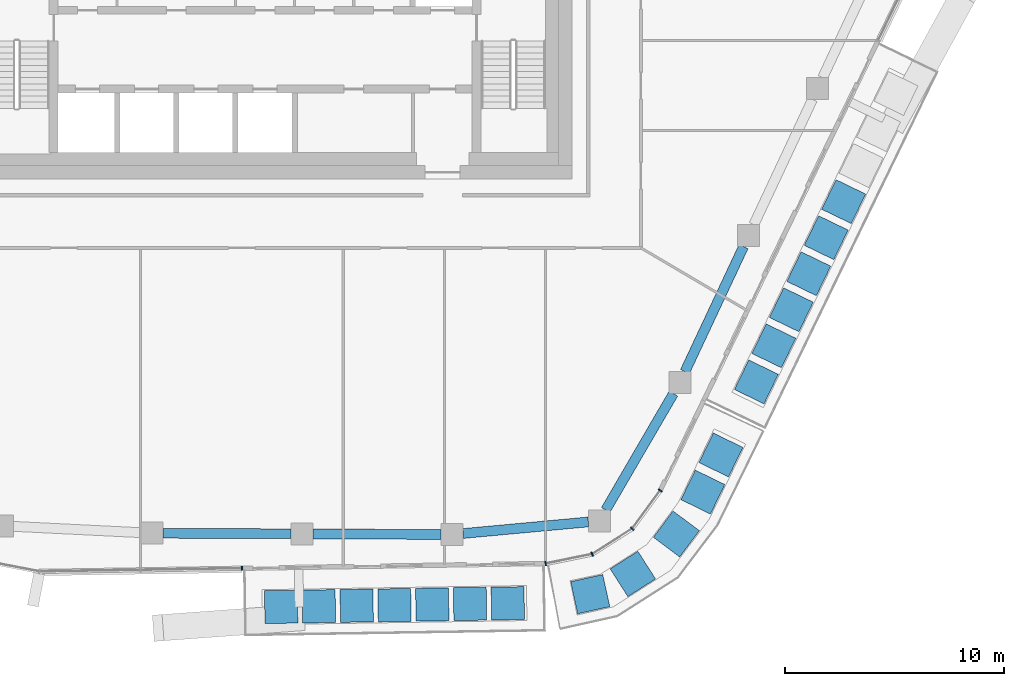
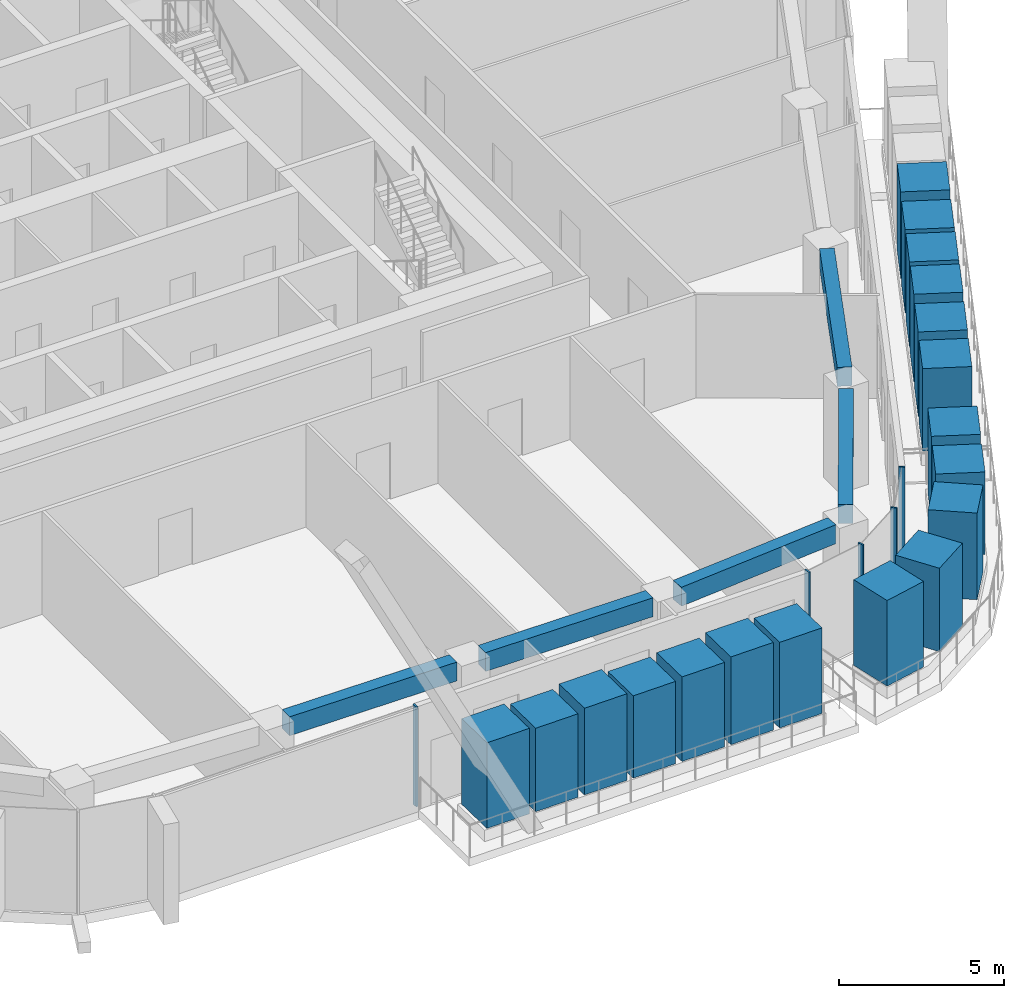
# One storey, part 4 of 24: 23 members, 5 beams, 2 elements without a shape of their own.
"""IFC4 building model written with IfcOpenShell, lengths in metres."""

from ifc_helpers import new_model, si_unit, direction, frame, origin, origin_2d, place, context, subcontext, project, spatial, rectangle, extrude, material, layer, layer_set, material_profile, profile_set, type_object, element, aggregate, save


model = new_model("IFC4")

# Units and contexts
model_context = context("Model", 3, precision=1e-05, world=origin(), true_north=direction((0.0, 1.0)))
body_context = subcontext(model_context, "Body", "Model", "MODEL_VIEW")
ifc_project = project(units=[si_unit("LENGTHUNIT", "METRE"), si_unit("AREAUNIT", "SQUARE_METRE"), si_unit("VOLUMEUNIT", "CUBIC_METRE"), si_unit("PLANEANGLEUNIT", "RADIAN"), si_unit("MASSUNIT", "GRAM", prefix="KILO")], contexts=[model_context])

# Site, building, storey
site_placement = place(None, origin())
site = spatial("IfcSite", under=ifc_project, at=site_placement, CompositionType="ELEMENT")
building_placement = place(site_placement, origin())
building = spatial("IfcBuilding", under=site, at=building_placement, Name="Dongbaek Canopy Tower", CompositionType="ELEMENT")
storey_placement = place(building_placement, frame((0.0, 0.0, 298.39990234375)))
storey = spatial("IfcBuildingStorey", under=building, at=storey_placement, Name="L63", CompositionType="ELEMENT", Elevation=298.39990234375)

# Curtain wall, member
ifc_material_1 = material(Name="Aluminium 6063-T6 pale anodised", Category="aluminium")
ifc_layer = layer(ifc_material_1, 0.199951171875)
ifc_layer_set = layer_set([ifc_layer], Name="CW-1 unitised tower curtain wall")
curtain_wall_type = type_object("IfcCurtainWallType", Name="CW-1 unitised tower curtain wall", PredefinedType="NOTDEFINED", material=ifc_layer_set)
curtain_wall_1_placement = place(storey_placement, origin())
curtain_wall_1 = element("IfcCurtainWall", 1, at=curtain_wall_1_placement, inside=storey, type_object=curtain_wall_type, Name="CW-1 curtain wall F4.1", PredefinedType="NOTDEFINED")
ifc_material_2 = material(Name="Aluminium 6063-T6 pale anodised", Category="aluminium")
ifc_material_profile_1 = material_profile(ifc_material_2, rectangle(XDim=0.199951171875, YDim=0.06005859375, at=origin_2d()), Name="CW-1 mullion 60 x 200")
ifc_profile_set_1 = profile_set([ifc_material_profile_1], Name="Aluminium 6063-T6 pale anodised")
member_type_1 = type_object("IfcMemberType", Name="CW-1 mullion 60 x 200", PredefinedType="MULLION", material=ifc_profile_set_1)
member_1_placement = place(storey_placement, frame((-1.054931640625, -28.767333984375, 0.1201171875), z_axis=(0.0, 0.0, 1.0), x_axis=(0.015683964455, -0.999876999065, 0.0)))
member_1 = element("IfcMember", 2, at=member_1_placement, type_object=member_type_1, Name="CW-1 mullion F4.1.3", PredefinedType="MULLION", context=body_context, shape_type="SweptSolid", body=[
    extrude(rectangle(XDim=0.199951171875, YDim=0.06005859375, at=origin_2d()), origin(), (0.0, 0.0, 1.0), 3.699951171875),
])
aggregate(curtain_wall_1, [member_1])

# Curtain wall, members
curtain_wall_2_placement = place(storey_placement, origin())
curtain_wall_2 = element("IfcCurtainWall", 3, at=curtain_wall_2_placement, inside=storey, type_object=curtain_wall_type, Name="CW-1 curtain wall K5.1", PredefinedType="NOTDEFINED")
member_2_placement = place(storey_placement, frame((12.801513671875, -28.550048828125, 0.0), z_axis=(0.0, 0.0, 1.0), x_axis=(0.19837890647, -0.98012540497, 0.0)))
member_2 = element("IfcMember", 4, at=member_2_placement, type_object=member_type_1, Name="CW-1 mullion K5.1.1", PredefinedType="MULLION", context=body_context, shape_type="SweptSolid", body=[
    extrude(rectangle(XDim=0.199951171875, YDim=0.06005859375, at=origin_2d()), origin(), (0.0, 0.0, 1.0), 3.820068359375),
])
member_3_placement = place(storey_placement, frame((14.92626953125, -28.119873046875, 0.0), z_axis=(0.0, 0.0, 1.0), x_axis=(0.374375075408, -0.927277360294, 0.0)))
member_3 = element("IfcMember", 5, at=member_3_placement, type_object=member_type_1, Name="CW-1 mullion K5.1.2", PredefinedType="MULLION", context=body_context, shape_type="SweptSolid", body=[
    extrude(rectangle(XDim=0.199951171875, YDim=0.06005859375, at=origin_2d()), origin(), (0.0, 0.0, 1.0), 3.820068359375),
])
member_4_placement = place(storey_placement, frame((16.746337890625, -26.959228515625, 0.0), z_axis=(0.0, 0.0, 1.0), x_axis=(0.68292612479, -0.730487445531, 0.0)))
member_4 = element("IfcMember", 6, at=member_4_placement, type_object=member_type_1, Name="CW-1 mullion K5.1.3", PredefinedType="MULLION", context=body_context, shape_type="SweptSolid", body=[
    extrude(rectangle(XDim=0.199951171875, YDim=0.06005859375, at=origin_2d()), origin(), (0.0, 0.0, 1.0), 3.820068359375),
])
member_5_placement = place(storey_placement, frame((18.0322265625, -25.2138671875, 0.0), z_axis=(0.0, 0.0, 1.0), x_axis=(0.805061986906, -0.593190692138, 0.0)))
member_5 = element("IfcMember", 7, at=member_5_placement, type_object=member_type_1, Name="CW-1 mullion K5.1.4", PredefinedType="MULLION", context=body_context, shape_type="SweptSolid", body=[
    extrude(rectangle(XDim=0.199951171875, YDim=0.06005859375, at=origin_2d()), origin(), (0.0, 0.0, 1.0), 3.820068359375),
])
aggregate(curtain_wall_2, [member_2, member_3, member_4, member_5])

# Beams
ifc_material_3 = material(Name="Concrete C60", Category="concrete")
ifc_material_profile_2 = material_profile(ifc_material_3, rectangle(XDim=0.449951171875, YDim=0.699951171875, at=origin_2d()), Name="RC EDGE BEAM 450x700 C60")
ifc_profile_set_2 = profile_set([ifc_material_profile_2], Name="Concrete C60")
beam_type = type_object("IfcBeamType", Name="RC EDGE BEAM 450x700 C60", PredefinedType="BEAM", material=ifc_profile_set_2)
beam_1_placement = place(storey_placement, frame((14.751953125, -26.653076171875, 3.47021484375), z_axis=(-0.995766439544, -0.091919518479, 0.0), x_axis=(0.091919518479, -0.995766439544, 0.0)))
element("IfcBeam", 8, at=beam_1_placement, inside=storey, type_object=beam_type, Name="EDGEBEAM:L63:00", PredefinedType="BEAM", context=body_context, shape_type="SweptSolid", body=[
    extrude(rectangle(XDim=0.449951171875, YDim=0.699951171875, at=origin_2d()), origin(), (0.0, 0.0, 1.0), 5.742431640625),
])
beam_2_placement = place(storey_placement, frame((8.033935546875, -27.224853515625, 3.47021484375), z_axis=(-0.999990401851, 0.004381347473, 0.0), x_axis=(-0.004381347473, -0.999990401851, 0.0)))
element("IfcBeam", 9, at=beam_2_placement, inside=storey, type_object=beam_type, Name="EDGEBEAM:L63:01", PredefinedType="BEAM", context=body_context, shape_type="SweptSolid", body=[
    extrude(rectangle(XDim=0.449951171875, YDim=0.699951171875, at=origin_2d()), origin(), (0.0, 0.0, 1.0), 5.850830078125),
])
beam_3_placement = place(storey_placement, frame((1.18310546875, -27.19482421875, 3.47021484375), z_axis=(-0.999990396242, 0.004382627582, 0.0), x_axis=(-0.004382627582, -0.999990396242, 0.0)))
element("IfcBeam", 10, at=beam_3_placement, inside=storey, type_object=beam_type, Name="EDGEBEAM:L63:02", PredefinedType="BEAM", context=body_context, shape_type="SweptSolid", body=[
    extrude(rectangle(XDim=0.449951171875, YDim=0.699951171875, at=origin_2d()), origin(), (0.0, 0.0, 1.0), 5.84912109375),
])
beam_4_placement = place(storey_placement, frame((21.833740234375, -14.087890625, 3.47021484375), z_axis=(-0.424294949226, -0.905524044993, 0.0), x_axis=(0.905524044993, -0.424294949226, 0.0)))
element("IfcBeam", 11, at=beam_4_placement, inside=storey, type_object=beam_type, Name="EDGEBEAM:L63:24", PredefinedType="BEAM", context=body_context, shape_type="SweptSolid", body=[
    extrude(rectangle(XDim=0.449951171875, YDim=0.699951171875, at=origin_2d()), origin(), (0.0, 0.0, 1.0), 6.303466796875),
])
beam_5_placement = place(storey_placement, frame((18.634033203125, -20.7958984375, 3.47021484375), z_axis=(-0.503016078482, -0.864277053258, 0.0), x_axis=(0.864277053258, -0.503016078482, 0.0)))
element("IfcBeam", 12, at=beam_5_placement, inside=storey, type_object=beam_type, Name="EDGEBEAM:L63:25", PredefinedType="BEAM", context=body_context, shape_type="SweptSolid", body=[
    extrude(rectangle(XDim=0.449951171875, YDim=0.699951171875, at=origin_2d()), origin(), (0.0, 0.0, 1.0), 6.14501953125),
])

# Members
ifc_material_4 = material(Name="Concrete C40/50 planter mass with planting", Category="concrete")
ifc_material_profile_3 = material_profile(ifc_material_4, rectangle(XDim=1.5, YDim=1.5, at=origin_2d()), Name="Terrace PLANTER shrub mass 1500 x 1500")
ifc_profile_set_3 = profile_set([ifc_material_profile_3], Name="Concrete C40/50 planter mass with planting")
member_type_2 = type_object("IfcMemberType", Name="Terrace PLANTER shrub mass 1500 x 1500", PredefinedType="USERDEFINED", material=ifc_profile_set_3)
member_6_placement = place(storey_placement, frame((0.73486328125, -30.529541015625, 0.420166015625), z_axis=(0.0, 0.0, 1.0), x_axis=(0.015683964455, -0.999876999065, 0.0)))
element("IfcMember", 13, at=member_6_placement, inside=storey, type_object=member_type_2, Name="Planter shrubs L63 4.1", ObjectType="PLANTER", PredefinedType="USERDEFINED", context=body_context, shape_type="SweptSolid", body=[
    extrude(rectangle(XDim=1.5, YDim=1.5, at=origin_2d()), origin(), (0.0, 0.0, 1.0), 3.169921875),
])
member_7_placement = place(storey_placement, frame((2.458740234375, -30.50244140625, 0.420166015625), z_axis=(0.0, 0.0, 1.0), x_axis=(0.015683964455, -0.999876999065, 0.0)))
element("IfcMember", 14, at=member_7_placement, inside=storey, type_object=member_type_2, Name="Planter shrubs L63 4.2", ObjectType="PLANTER", PredefinedType="USERDEFINED", context=body_context, shape_type="SweptSolid", body=[
    extrude(rectangle(XDim=1.5, YDim=1.5, at=origin_2d()), origin(), (0.0, 0.0, 1.0), 3.08984375),
])
member_8_placement = place(storey_placement, frame((4.182373046875, -30.475341796875, 0.420166015625), z_axis=(0.0, 0.0, 1.0), x_axis=(0.015683964455, -0.999876999065, 0.0)))
element("IfcMember", 15, at=member_8_placement, inside=storey, type_object=member_type_2, Name="Planter shrubs L63 4.3", ObjectType="PLANTER", PredefinedType="USERDEFINED", context=body_context, shape_type="SweptSolid", body=[
    extrude(rectangle(XDim=1.5, YDim=1.5, at=origin_2d()), origin(), (0.0, 0.0, 1.0), 3.2099609375),
])
member_9_placement = place(storey_placement, frame((5.906005859375, -30.4482421875, 0.420166015625), z_axis=(0.0, 0.0, 1.0), x_axis=(0.015683964455, -0.999876999065, 0.0)))
element("IfcMember", 16, at=member_9_placement, inside=storey, type_object=member_type_2, Name="Planter shrubs L63 4.4", ObjectType="PLANTER", PredefinedType="USERDEFINED", context=body_context, shape_type="SweptSolid", body=[
    extrude(rectangle(XDim=1.5, YDim=1.5, at=origin_2d()), origin(), (0.0, 0.0, 1.0), 3.050048828125),
])
member_10_placement = place(storey_placement, frame((7.629638671875, -30.42138671875, 0.420166015625), z_axis=(0.0, 0.0, 1.0), x_axis=(0.015683964455, -0.999876999065, 0.0)))
element("IfcMember", 17, at=member_10_placement, inside=storey, type_object=member_type_2, Name="Planter shrubs L63 4.5", ObjectType="PLANTER", PredefinedType="USERDEFINED", context=body_context, shape_type="SweptSolid", body=[
    extrude(rectangle(XDim=1.5, YDim=1.5, at=origin_2d()), origin(), (0.0, 0.0, 1.0), 3.1298828125),
])
member_11_placement = place(storey_placement, frame((9.353515625, -30.394287109375, 0.420166015625), z_axis=(0.0, 0.0, 1.0), x_axis=(0.015683964455, -0.999876999065, 0.0)))
element("IfcMember", 18, at=member_11_placement, inside=storey, type_object=member_type_2, Name="Planter shrubs L63 4.6", ObjectType="PLANTER", PredefinedType="USERDEFINED", context=body_context, shape_type="SweptSolid", body=[
    extrude(rectangle(XDim=1.5, YDim=1.5, at=origin_2d()), origin(), (0.0, 0.0, 1.0), 3.25),
])
member_12_placement = place(storey_placement, frame((11.0771484375, -30.3671875, 0.420166015625), z_axis=(0.0, 0.0, 1.0), x_axis=(0.015683964455, -0.999876999065, 0.0)))
element("IfcMember", 19, at=member_12_placement, inside=storey, type_object=member_type_2, Name="Planter shrubs L63 4.7", ObjectType="PLANTER", PredefinedType="USERDEFINED", context=body_context, shape_type="SweptSolid", body=[
    extrude(rectangle(XDim=1.5, YDim=1.5, at=origin_2d()), origin(), (0.0, 0.0, 1.0), 3.169921875),
])
member_13_placement = place(storey_placement, frame((22.41845703125, -20.263916015625, 0.420166015625), z_axis=(0.0, 0.0, 1.0), x_axis=(0.900012864193, -0.435863332121, 0.0)))
element("IfcMember", 20, at=member_13_placement, inside=storey, type_object=member_type_2, Name="Planter shrubs L63 5.1", ObjectType="PLANTER", PredefinedType="USERDEFINED", context=body_context, shape_type="SweptSolid", body=[
    extrude(rectangle(XDim=1.5, YDim=1.5, at=origin_2d()), origin(), (0.0, 0.0, 1.0), 3.050048828125),
])
member_14_placement = place(storey_placement, frame((23.215087890625, -18.618896484375, 0.420166015625), z_axis=(0.0, 0.0, 1.0), x_axis=(0.900012864193, -0.435863332121, 0.0)))
element("IfcMember", 21, at=member_14_placement, inside=storey, type_object=member_type_2, Name="Planter shrubs L63 5.2", ObjectType="PLANTER", PredefinedType="USERDEFINED", context=body_context, shape_type="SweptSolid", body=[
    extrude(rectangle(XDim=1.5, YDim=1.5, at=origin_2d()), origin(), (0.0, 0.0, 1.0), 3.1298828125),
])
member_15_placement = place(storey_placement, frame((24.01171875, -16.973876953125, 0.420166015625), z_axis=(0.0, 0.0, 1.0), x_axis=(0.900012864193, -0.435863332121, 0.0)))
element("IfcMember", 22, at=member_15_placement, inside=storey, type_object=member_type_2, Name="Planter shrubs L63 5.3", ObjectType="PLANTER", PredefinedType="USERDEFINED", context=body_context, shape_type="SweptSolid", body=[
    extrude(rectangle(XDim=1.5, YDim=1.5, at=origin_2d()), origin(), (0.0, 0.0, 1.0), 3.25),
])
member_16_placement = place(storey_placement, frame((24.80810546875, -15.3291015625, 0.420166015625), z_axis=(0.0, 0.0, 1.0), x_axis=(0.900012864193, -0.435863332121, 0.0)))
element("IfcMember", 23, at=member_16_placement, inside=storey, type_object=member_type_2, Name="Planter shrubs L63 5.4", ObjectType="PLANTER", PredefinedType="USERDEFINED", context=body_context, shape_type="SweptSolid", body=[
    extrude(rectangle(XDim=1.5, YDim=1.5, at=origin_2d()), origin(), (0.0, 0.0, 1.0), 3.169921875),
])
member_17_placement = place(storey_placement, frame((25.604736328125, -13.68408203125, 0.420166015625), z_axis=(0.0, 0.0, 1.0), x_axis=(0.900012864193, -0.435863332121, 0.0)))
element("IfcMember", 24, at=member_17_placement, inside=storey, type_object=member_type_2, Name="Planter shrubs L63 5.5", ObjectType="PLANTER", PredefinedType="USERDEFINED", context=body_context, shape_type="SweptSolid", body=[
    extrude(rectangle(XDim=1.5, YDim=1.5, at=origin_2d()), origin(), (0.0, 0.0, 1.0), 3.08984375),
])
member_18_placement = place(storey_placement, frame((26.4013671875, -12.039306640625, 0.420166015625), z_axis=(0.0, 0.0, 1.0), x_axis=(0.900012864193, -0.435863332121, 0.0)))
element("IfcMember", 25, at=member_18_placement, inside=storey, type_object=member_type_2, Name="Planter shrubs L63 5.6", ObjectType="PLANTER", PredefinedType="USERDEFINED", context=body_context, shape_type="SweptSolid", body=[
    extrude(rectangle(XDim=1.5, YDim=1.5, at=origin_2d()), origin(), (0.0, 0.0, 1.0), 3.2099609375),
])
member_19_placement = place(storey_placement, frame((14.837890625, -29.949462890625, 0.420166015625), z_axis=(0.0, 0.0, 1.0), x_axis=(0.216327066433, -0.976320951495, 0.0)))
element("IfcMember", 26, at=member_19_placement, inside=storey, type_object=member_type_2, Name="Planter shrubs L63 8.1", ObjectType="PLANTER", PredefinedType="USERDEFINED", context=body_context, shape_type="SweptSolid", body=[
    extrude(rectangle(XDim=1.5, YDim=1.5, at=origin_2d()), origin(), (0.0, 0.0, 1.0), 3.169921875),
])
member_20_placement = place(storey_placement, frame((16.783447265625, -29.024658203125, 0.420166015625), z_axis=(0.0, 0.0, 1.0), x_axis=(0.53772950879, -0.843117414941, 0.0)))
element("IfcMember", 27, at=member_20_placement, inside=storey, type_object=member_type_2, Name="Planter shrubs L63 8.2", ObjectType="PLANTER", PredefinedType="USERDEFINED", context=body_context, shape_type="SweptSolid", body=[
    extrude(rectangle(XDim=1.5, YDim=1.5, at=origin_2d()), origin(), (0.0, 0.0, 1.0), 3.08984375),
])
member_21_placement = place(storey_placement, frame((18.767578125, -27.203369140625, 0.420166015625), z_axis=(0.0, 0.0, 1.0), x_axis=(0.800267717706, -0.599642877051, 0.0)))
element("IfcMember", 28, at=member_21_placement, inside=storey, type_object=member_type_2, Name="Planter shrubs L63 8.3", ObjectType="PLANTER", PredefinedType="USERDEFINED", context=body_context, shape_type="SweptSolid", body=[
    extrude(rectangle(XDim=1.5, YDim=1.5, at=origin_2d()), origin(), (0.0, 0.0, 1.0), 3.2099609375),
])
member_22_placement = place(storey_placement, frame((19.977294921875, -25.2919921875, 0.420166015625), z_axis=(0.0, 0.0, 1.0), x_axis=(0.899184228152, -0.437570250179, 0.0)))
element("IfcMember", 29, at=member_22_placement, inside=storey, type_object=member_type_2, Name="Planter shrubs L63 8.4", ObjectType="PLANTER", PredefinedType="USERDEFINED", context=body_context, shape_type="SweptSolid", body=[
    extrude(rectangle(XDim=1.5, YDim=1.5, at=origin_2d()), origin(), (0.0, 0.0, 1.0), 3.050048828125),
])
member_23_placement = place(storey_placement, frame((20.801513671875, -23.59814453125, 0.420166015625), z_axis=(0.0, 0.0, 1.0), x_axis=(0.899184228152, -0.437570250179, 0.0)))
element("IfcMember", 30, at=member_23_placement, inside=storey, type_object=member_type_2, Name="Planter shrubs L63 8.5", ObjectType="PLANTER", PredefinedType="USERDEFINED", context=body_context, shape_type="SweptSolid", body=[
    extrude(rectangle(XDim=1.5, YDim=1.5, at=origin_2d()), origin(), (0.0, 0.0, 1.0), 3.1298828125),
])

save(model, "model.ifc")
